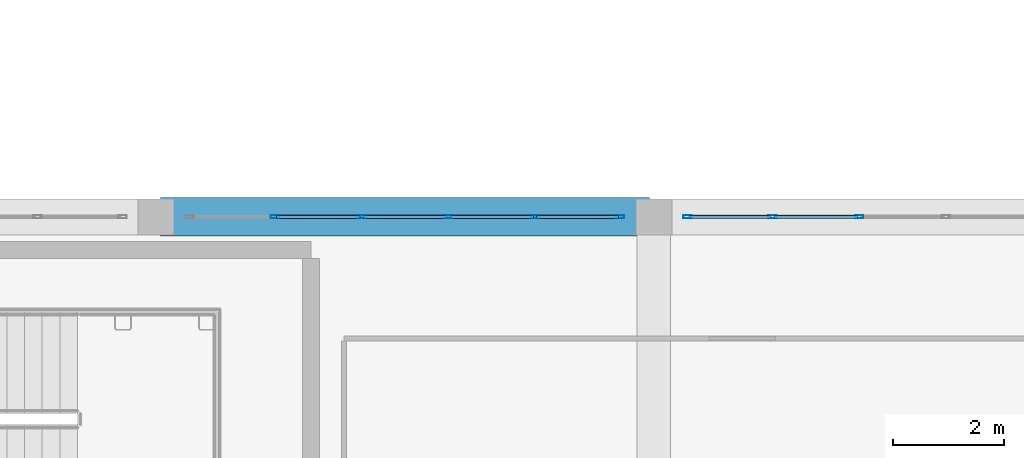
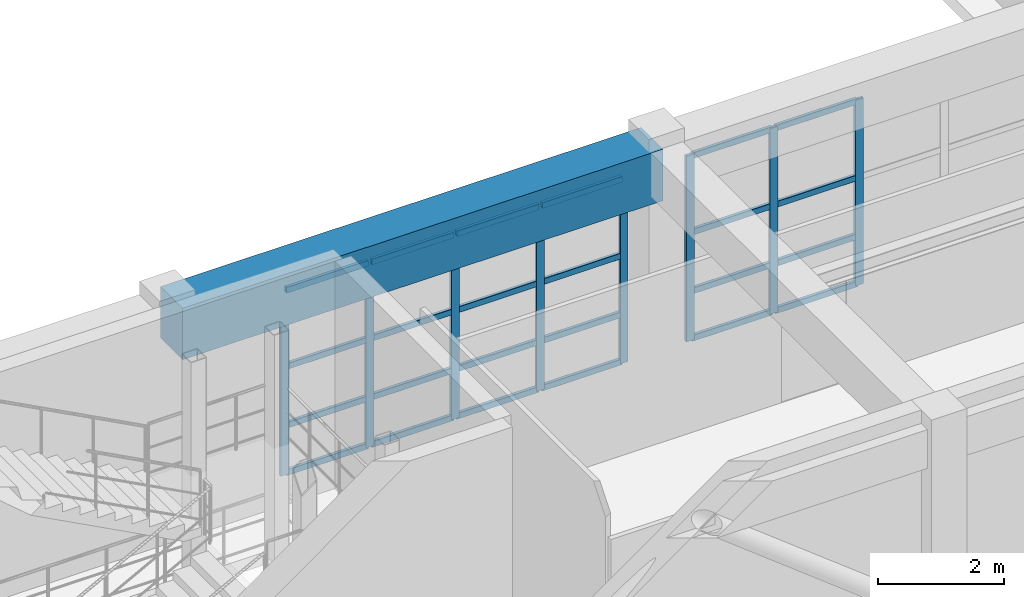
# One storey, part 77 of 133: 32 members, 1 beam, 2 elements without a shape of their own.
"""IFC4 building model written with IfcOpenShell, lengths in metres."""

from ifc_helpers import new_model, si_unit, direction, frame, origin, origin_2d, place, context, subcontext, project, spatial, rectangle, hollow_rectangle, extrude, material, material_profile, profile_set, type_object, element, aggregate, save


model = new_model("IFC4")

# Units and contexts
model_context = context("Model", 3, precision=1e-05, world=origin(), true_north=direction((0.0, 1.0)))
body_context = subcontext(model_context, "Body", "Model", "MODEL_VIEW")
ifc_project = project(units=[si_unit("LENGTHUNIT", "METRE"), si_unit("AREAUNIT", "SQUARE_METRE"), si_unit("VOLUMEUNIT", "CUBIC_METRE"), si_unit("PLANEANGLEUNIT", "RADIAN"), si_unit("MASSUNIT", "GRAM", prefix="KILO")], contexts=[model_context])

# Site, building, storey
site_placement = place(None, origin())
site = spatial("IfcSite", under=ifc_project, at=site_placement, CompositionType="ELEMENT")
building_placement = place(site_placement, origin())
building = spatial("IfcBuilding", under=site, at=building_placement, Name="Miravela Opera House", CompositionType="ELEMENT")
storey_placement = place(building_placement, frame((0.0, 0.0, 5.10009765625)))
storey = spatial("IfcBuildingStorey", under=building, at=storey_placement, Name="L01", CompositionType="ELEMENT", Elevation=5.10009765625)

# Curtain wall, members
ifc_material_1 = material(Name="Anodised architectural bronze aluminium 6063-T6", Category="aluminium")
curtain_wall_type = type_object("IfcCurtainWallType", Name="ARC-CW-06", PredefinedType="NOTDEFINED", material=ifc_material_1)
curtain_wall_1_placement = place(storey_placement, origin())
curtain_wall_1 = element("IfcCurtainWall", 1, at=curtain_wall_1_placement, inside=storey, type_object=curtain_wall_type, Name="Courtyard Arcade Curtain Wall CW-L01-175", PredefinedType="NOTDEFINED")
ifc_material_profile_1 = material_profile(ifc_material_1, hollow_rectangle(XDim=0.06005859375, YDim=0.14990234375, WallThickness=0.00390625, InnerFilletRadius=0.001953125, OuterFilletRadius=0.00390625, at=origin_2d()), Name="CWM-60X150")
ifc_profile_set_1 = profile_set([ifc_material_profile_1])
member_type_1 = type_object("IfcMemberType", Name="ARC-CWM-150", PredefinedType="MULLION", material=ifc_profile_set_1)
member_1_placement = place(storey_placement, frame((128.14794921875, 9.0, 0.0), z_axis=(0.0, 0.0, 1.0), x_axis=(0.0, 1.0, 0.0)))
member_1 = element("IfcMember", 2, at=member_1_placement, type_object=member_type_1, Name="CW-06 mullion 2", PredefinedType="MULLION", context=body_context, shape_type="SweptSolid", body=[
    extrude(hollow_rectangle(XDim=0.06005859375, YDim=0.14990234375, WallThickness=0.00390625, InnerFilletRadius=0.001953125, OuterFilletRadius=0.00390625, at=origin_2d()), origin(), (0.0, 0.0, 1.0), 3.60986328125),
])
member_2_placement = place(storey_placement, frame((129.716064453125, 9.0, 0.0), z_axis=(0.0, 0.0, 1.0), x_axis=(0.0, 1.0, 0.0)))
member_2 = element("IfcMember", 3, at=member_2_placement, type_object=member_type_1, Name="CW-06 mullion 3", PredefinedType="MULLION", context=body_context, shape_type="SweptSolid", body=[
    extrude(hollow_rectangle(XDim=0.06005859375, YDim=0.14990234375, WallThickness=0.00390625, InnerFilletRadius=0.001953125, OuterFilletRadius=0.00390625, at=origin_2d()), origin(), (0.0, 0.0, 1.0), 3.60986328125),
])
member_3_placement = place(storey_placement, frame((131.283935546875, 9.0, 0.0), z_axis=(0.0, 0.0, 1.0), x_axis=(0.0, 1.0, 0.0)))
member_3 = element("IfcMember", 4, at=member_3_placement, type_object=member_type_1, Name="CW-06 mullion 4", PredefinedType="MULLION", context=body_context, shape_type="SweptSolid", body=[
    extrude(hollow_rectangle(XDim=0.06005859375, YDim=0.14990234375, WallThickness=0.00390625, InnerFilletRadius=0.001953125, OuterFilletRadius=0.00390625, at=origin_2d()), origin(), (0.0, 0.0, 1.0), 3.60986328125),
])
member_4_placement = place(storey_placement, frame((132.85205078125, 9.0, 0.0), z_axis=(0.0, 0.0, 1.0), x_axis=(0.0, 1.0, 0.0)))
member_4 = element("IfcMember", 5, at=member_4_placement, type_object=member_type_1, Name="CW-06 mullion 5", PredefinedType="MULLION", context=body_context, shape_type="SweptSolid", body=[
    extrude(hollow_rectangle(XDim=0.06005859375, YDim=0.14990234375, WallThickness=0.00390625, InnerFilletRadius=0.001953125, OuterFilletRadius=0.00390625, at=origin_2d()), origin(), (0.0, 0.0, 1.0), 3.60986328125),
])
member_5_placement = place(storey_placement, frame((134.389892578125, 9.0, 0.0), z_axis=(0.0, 0.0, 1.0), x_axis=(0.0, 1.0, 0.0)))
member_5 = element("IfcMember", 6, at=member_5_placement, type_object=member_type_1, Name="CW-06 mullion 6", PredefinedType="MULLION", context=body_context, shape_type="SweptSolid", body=[
    extrude(hollow_rectangle(XDim=0.06005859375, YDim=0.14990234375, WallThickness=0.00390625, InnerFilletRadius=0.001953125, OuterFilletRadius=0.00390625, at=origin_2d()), origin(), (0.0, 0.0, 1.0), 3.60986328125),
])

curtain_wall_2_placement = place(storey_placement, origin())
curtain_wall_2 = element("IfcCurtainWall", 7, at=curtain_wall_2_placement, inside=storey, type_object=curtain_wall_type, Name="Courtyard Arcade Curtain Wall CW-L01-179", PredefinedType="NOTDEFINED")
member_6_placement = place(storey_placement, frame((135.610107421875, 9.0, 0.0), z_axis=(0.0, 0.0, 1.0), x_axis=(0.0, 1.0, 0.0)))
member_6 = element("IfcMember", 8, at=member_6_placement, type_object=member_type_1, Name="CW-06 mullion 1", PredefinedType="MULLION", context=body_context, shape_type="SweptSolid", body=[
    extrude(hollow_rectangle(XDim=0.06005859375, YDim=0.14990234375, WallThickness=0.00390625, InnerFilletRadius=0.001953125, OuterFilletRadius=0.00390625, at=origin_2d()), origin(), (0.0, 0.0, 1.0), 3.60986328125),
])
member_7_placement = place(storey_placement, frame((137.14794921875, 9.0, 0.0), z_axis=(0.0, 0.0, 1.0), x_axis=(0.0, 1.0, 0.0)))
member_7 = element("IfcMember", 9, at=member_7_placement, type_object=member_type_1, Name="CW-06 mullion 2", PredefinedType="MULLION", context=body_context, shape_type="SweptSolid", body=[
    extrude(hollow_rectangle(XDim=0.06005859375, YDim=0.14990234375, WallThickness=0.00390625, InnerFilletRadius=0.001953125, OuterFilletRadius=0.00390625, at=origin_2d()), origin(), (0.0, 0.0, 1.0), 3.60986328125),
])
member_8_placement = place(storey_placement, frame((138.716064453125, 9.0, 0.0), z_axis=(0.0, 0.0, 1.0), x_axis=(0.0, 1.0, 0.0)))
member_8 = element("IfcMember", 10, at=member_8_placement, type_object=member_type_1, Name="CW-06 mullion 3", PredefinedType="MULLION", context=body_context, shape_type="SweptSolid", body=[
    extrude(hollow_rectangle(XDim=0.06005859375, YDim=0.14990234375, WallThickness=0.00390625, InnerFilletRadius=0.001953125, OuterFilletRadius=0.00390625, at=origin_2d()), origin(), (0.0, 0.0, 1.0), 3.60986328125),
])

# Member
ifc_material_profile_2 = material_profile(ifc_material_1, hollow_rectangle(XDim=0.06005859375, YDim=0.114990234375, WallThickness=0.00390625, InnerFilletRadius=0.001953125, OuterFilletRadius=0.00390625, at=origin_2d()), Name="CWT-60X115")
ifc_profile_set_2 = profile_set([ifc_material_profile_2])
member_type_2 = type_object("IfcMemberType", Name="ARC-CWT-115", PredefinedType="USERDEFINED", material=ifc_profile_set_2)
member_9_placement = place(storey_placement, frame((128.177978515625, 9.0, 0.02978515625), z_axis=(1.0, 0.0, 0.0), x_axis=(0.0, 1.0, 0.0)))
member_9 = element("IfcMember", 11, at=member_9_placement, type_object=member_type_2, Name="CW-06 transom 2.1", ObjectType="TRANSOM", PredefinedType="USERDEFINED", context=body_context, shape_type="SweptSolid", body=[
    extrude(hollow_rectangle(XDim=0.06005859375, YDim=0.114990234375, WallThickness=0.00390625, InnerFilletRadius=0.001953125, OuterFilletRadius=0.00390625, at=origin_2d()), origin(), (0.0, 0.0, 1.0), 1.508056640625),
])

member_10_placement = place(storey_placement, frame((128.177978515625, 9.0, 0.949951171875), z_axis=(1.0, 0.0, 0.0), x_axis=(0.0, 1.0, 0.0)))
member_10 = element("IfcMember", 12, at=member_10_placement, type_object=member_type_2, Name="CW-06 transom 2.2", ObjectType="TRANSOM", PredefinedType="USERDEFINED", context=body_context, shape_type="SweptSolid", body=[
    extrude(hollow_rectangle(XDim=0.06005859375, YDim=0.114990234375, WallThickness=0.00390625, InnerFilletRadius=0.001953125, OuterFilletRadius=0.00390625, at=origin_2d()), origin(), (0.0, 0.0, 1.0), 1.508056640625),
])

member_11_placement = place(storey_placement, frame((128.177978515625, 9.0, 2.09375), z_axis=(1.0, 0.0, 0.0), x_axis=(0.0, 1.0, 0.0)))
member_11 = element("IfcMember", 13, at=member_11_placement, type_object=member_type_2, Name="CW-06 transom 2.3", ObjectType="TRANSOM", PredefinedType="USERDEFINED", context=body_context, shape_type="SweptSolid", body=[
    extrude(hollow_rectangle(XDim=0.06005859375, YDim=0.114990234375, WallThickness=0.00390625, InnerFilletRadius=0.001953125, OuterFilletRadius=0.00390625, at=origin_2d()), origin(), (0.0, 0.0, 1.0), 1.508056640625),
])

member_12_placement = place(storey_placement, frame((128.177978515625, 9.0, 3.579833984375), z_axis=(1.0, 0.0, 0.0), x_axis=(0.0, 1.0, 0.0)))
member_12 = element("IfcMember", 14, at=member_12_placement, type_object=member_type_2, Name="CW-06 transom 2.4", ObjectType="TRANSOM", PredefinedType="USERDEFINED", context=body_context, shape_type="SweptSolid", body=[
    extrude(hollow_rectangle(XDim=0.06005859375, YDim=0.114990234375, WallThickness=0.00390625, InnerFilletRadius=0.001953125, OuterFilletRadius=0.00390625, at=origin_2d()), origin(), (0.0, 0.0, 1.0), 1.508056640625),
])

member_13_placement = place(storey_placement, frame((129.74609375, 9.0, 0.02978515625), z_axis=(1.0, 0.0, 0.0), x_axis=(0.0, 1.0, 0.0)))
member_13 = element("IfcMember", 15, at=member_13_placement, type_object=member_type_2, Name="CW-06 transom 3.1", ObjectType="TRANSOM", PredefinedType="USERDEFINED", context=body_context, shape_type="SweptSolid", body=[
    extrude(hollow_rectangle(XDim=0.06005859375, YDim=0.114990234375, WallThickness=0.00390625, InnerFilletRadius=0.001953125, OuterFilletRadius=0.00390625, at=origin_2d()), origin(), (0.0, 0.0, 1.0), 1.5078125),
])

member_14_placement = place(storey_placement, frame((129.74609375, 9.0, 0.949951171875), z_axis=(1.0, 0.0, 0.0), x_axis=(0.0, 1.0, 0.0)))
member_14 = element("IfcMember", 16, at=member_14_placement, type_object=member_type_2, Name="CW-06 transom 3.2", ObjectType="TRANSOM", PredefinedType="USERDEFINED", context=body_context, shape_type="SweptSolid", body=[
    extrude(hollow_rectangle(XDim=0.06005859375, YDim=0.114990234375, WallThickness=0.00390625, InnerFilletRadius=0.001953125, OuterFilletRadius=0.00390625, at=origin_2d()), origin(), (0.0, 0.0, 1.0), 1.5078125),
])

member_15_placement = place(storey_placement, frame((129.74609375, 9.0, 2.09375), z_axis=(1.0, 0.0, 0.0), x_axis=(0.0, 1.0, 0.0)))
member_15 = element("IfcMember", 17, at=member_15_placement, type_object=member_type_2, Name="CW-06 transom 3.3", ObjectType="TRANSOM", PredefinedType="USERDEFINED", context=body_context, shape_type="SweptSolid", body=[
    extrude(hollow_rectangle(XDim=0.06005859375, YDim=0.114990234375, WallThickness=0.00390625, InnerFilletRadius=0.001953125, OuterFilletRadius=0.00390625, at=origin_2d()), origin(), (0.0, 0.0, 1.0), 1.5078125),
])

member_16_placement = place(storey_placement, frame((129.74609375, 9.0, 3.579833984375), z_axis=(1.0, 0.0, 0.0), x_axis=(0.0, 1.0, 0.0)))
member_16 = element("IfcMember", 18, at=member_16_placement, type_object=member_type_2, Name="CW-06 transom 3.4", ObjectType="TRANSOM", PredefinedType="USERDEFINED", context=body_context, shape_type="SweptSolid", body=[
    extrude(hollow_rectangle(XDim=0.06005859375, YDim=0.114990234375, WallThickness=0.00390625, InnerFilletRadius=0.001953125, OuterFilletRadius=0.00390625, at=origin_2d()), origin(), (0.0, 0.0, 1.0), 1.5078125),
])

member_17_placement = place(storey_placement, frame((131.31396484375, 9.0, 0.02978515625), z_axis=(1.0, 0.0, 0.0), x_axis=(0.0, 1.0, 0.0)))
member_17 = element("IfcMember", 19, at=member_17_placement, type_object=member_type_2, Name="CW-06 transom 4.1", ObjectType="TRANSOM", PredefinedType="USERDEFINED", context=body_context, shape_type="SweptSolid", body=[
    extrude(hollow_rectangle(XDim=0.06005859375, YDim=0.114990234375, WallThickness=0.00390625, InnerFilletRadius=0.001953125, OuterFilletRadius=0.00390625, at=origin_2d()), origin(), (0.0, 0.0, 1.0), 1.508056640625),
])

member_18_placement = place(storey_placement, frame((131.31396484375, 9.0, 0.949951171875), z_axis=(1.0, 0.0, 0.0), x_axis=(0.0, 1.0, 0.0)))
member_18 = element("IfcMember", 20, at=member_18_placement, type_object=member_type_2, Name="CW-06 transom 4.2", ObjectType="TRANSOM", PredefinedType="USERDEFINED", context=body_context, shape_type="SweptSolid", body=[
    extrude(hollow_rectangle(XDim=0.06005859375, YDim=0.114990234375, WallThickness=0.00390625, InnerFilletRadius=0.001953125, OuterFilletRadius=0.00390625, at=origin_2d()), origin(), (0.0, 0.0, 1.0), 1.508056640625),
])

member_19_placement = place(storey_placement, frame((131.31396484375, 9.0, 2.09375), z_axis=(1.0, 0.0, 0.0), x_axis=(0.0, 1.0, 0.0)))
member_19 = element("IfcMember", 21, at=member_19_placement, type_object=member_type_2, Name="CW-06 transom 4.3", ObjectType="TRANSOM", PredefinedType="USERDEFINED", context=body_context, shape_type="SweptSolid", body=[
    extrude(hollow_rectangle(XDim=0.06005859375, YDim=0.114990234375, WallThickness=0.00390625, InnerFilletRadius=0.001953125, OuterFilletRadius=0.00390625, at=origin_2d()), origin(), (0.0, 0.0, 1.0), 1.508056640625),
])

member_20_placement = place(storey_placement, frame((131.31396484375, 9.0, 3.579833984375), z_axis=(1.0, 0.0, 0.0), x_axis=(0.0, 1.0, 0.0)))
member_20 = element("IfcMember", 22, at=member_20_placement, type_object=member_type_2, Name="CW-06 transom 4.4", ObjectType="TRANSOM", PredefinedType="USERDEFINED", context=body_context, shape_type="SweptSolid", body=[
    extrude(hollow_rectangle(XDim=0.06005859375, YDim=0.114990234375, WallThickness=0.00390625, InnerFilletRadius=0.001953125, OuterFilletRadius=0.00390625, at=origin_2d()), origin(), (0.0, 0.0, 1.0), 1.508056640625),
])

member_21_placement = place(storey_placement, frame((132.882080078125, 9.0, 0.02978515625), z_axis=(1.0, 0.0, 0.0), x_axis=(0.0, 1.0, 0.0)))
member_21 = element("IfcMember", 23, at=member_21_placement, type_object=member_type_2, Name="CW-06 transom 5.1", ObjectType="TRANSOM", PredefinedType="USERDEFINED", context=body_context, shape_type="SweptSolid", body=[
    extrude(hollow_rectangle(XDim=0.06005859375, YDim=0.114990234375, WallThickness=0.00390625, InnerFilletRadius=0.001953125, OuterFilletRadius=0.00390625, at=origin_2d()), origin(), (0.0, 0.0, 1.0), 1.47802734375),
])

member_22_placement = place(storey_placement, frame((132.882080078125, 9.0, 0.949951171875), z_axis=(1.0, 0.0, 0.0), x_axis=(0.0, 1.0, 0.0)))
member_22 = element("IfcMember", 24, at=member_22_placement, type_object=member_type_2, Name="CW-06 transom 5.2", ObjectType="TRANSOM", PredefinedType="USERDEFINED", context=body_context, shape_type="SweptSolid", body=[
    extrude(hollow_rectangle(XDim=0.06005859375, YDim=0.114990234375, WallThickness=0.00390625, InnerFilletRadius=0.001953125, OuterFilletRadius=0.00390625, at=origin_2d()), origin(), (0.0, 0.0, 1.0), 1.47802734375),
])

member_23_placement = place(storey_placement, frame((132.882080078125, 9.0, 2.09375), z_axis=(1.0, 0.0, 0.0), x_axis=(0.0, 1.0, 0.0)))
member_23 = element("IfcMember", 25, at=member_23_placement, type_object=member_type_2, Name="CW-06 transom 5.3", ObjectType="TRANSOM", PredefinedType="USERDEFINED", context=body_context, shape_type="SweptSolid", body=[
    extrude(hollow_rectangle(XDim=0.06005859375, YDim=0.114990234375, WallThickness=0.00390625, InnerFilletRadius=0.001953125, OuterFilletRadius=0.00390625, at=origin_2d()), origin(), (0.0, 0.0, 1.0), 1.47802734375),
])

member_24_placement = place(storey_placement, frame((132.882080078125, 9.0, 3.579833984375), z_axis=(1.0, 0.0, 0.0), x_axis=(0.0, 1.0, 0.0)))
member_24 = element("IfcMember", 26, at=member_24_placement, type_object=member_type_2, Name="CW-06 transom 5.4", ObjectType="TRANSOM", PredefinedType="USERDEFINED", context=body_context, shape_type="SweptSolid", body=[
    extrude(hollow_rectangle(XDim=0.06005859375, YDim=0.114990234375, WallThickness=0.00390625, InnerFilletRadius=0.001953125, OuterFilletRadius=0.00390625, at=origin_2d()), origin(), (0.0, 0.0, 1.0), 1.47802734375),
])

aggregate(curtain_wall_1, [member_1, member_2, member_3, member_4, member_5, member_9, member_10, member_11, member_12, member_13, member_14, member_15, member_16, member_17, member_18, member_19, member_20, member_21, member_22, member_23, member_24])

member_25_placement = place(storey_placement, frame((135.639892578125, 9.0, 0.02978515625), z_axis=(1.0, 0.0, 0.0), x_axis=(0.0, 1.0, 0.0)))
member_25 = element("IfcMember", 27, at=member_25_placement, type_object=member_type_2, Name="CW-06 transom 1.1", ObjectType="TRANSOM", PredefinedType="USERDEFINED", context=body_context, shape_type="SweptSolid", body=[
    extrude(hollow_rectangle(XDim=0.06005859375, YDim=0.114990234375, WallThickness=0.00390625, InnerFilletRadius=0.001953125, OuterFilletRadius=0.00390625, at=origin_2d()), origin(), (0.0, 0.0, 1.0), 1.47802734375),
])

member_26_placement = place(storey_placement, frame((135.639892578125, 9.0, 0.949951171875), z_axis=(1.0, 0.0, 0.0), x_axis=(0.0, 1.0, 0.0)))
member_26 = element("IfcMember", 28, at=member_26_placement, type_object=member_type_2, Name="CW-06 transom 1.2", ObjectType="TRANSOM", PredefinedType="USERDEFINED", context=body_context, shape_type="SweptSolid", body=[
    extrude(hollow_rectangle(XDim=0.06005859375, YDim=0.114990234375, WallThickness=0.00390625, InnerFilletRadius=0.001953125, OuterFilletRadius=0.00390625, at=origin_2d()), origin(), (0.0, 0.0, 1.0), 1.47802734375),
])

member_27_placement = place(storey_placement, frame((135.639892578125, 9.0, 2.09375), z_axis=(1.0, 0.0, 0.0), x_axis=(0.0, 1.0, 0.0)))
member_27 = element("IfcMember", 29, at=member_27_placement, type_object=member_type_2, Name="CW-06 transom 1.3", ObjectType="TRANSOM", PredefinedType="USERDEFINED", context=body_context, shape_type="SweptSolid", body=[
    extrude(hollow_rectangle(XDim=0.06005859375, YDim=0.114990234375, WallThickness=0.00390625, InnerFilletRadius=0.001953125, OuterFilletRadius=0.00390625, at=origin_2d()), origin(), (0.0, 0.0, 1.0), 1.47802734375),
])

member_28_placement = place(storey_placement, frame((135.639892578125, 9.0, 3.579833984375), z_axis=(1.0, 0.0, 0.0), x_axis=(0.0, 1.0, 0.0)))
member_28 = element("IfcMember", 30, at=member_28_placement, type_object=member_type_2, Name="CW-06 transom 1.4", ObjectType="TRANSOM", PredefinedType="USERDEFINED", context=body_context, shape_type="SweptSolid", body=[
    extrude(hollow_rectangle(XDim=0.06005859375, YDim=0.114990234375, WallThickness=0.00390625, InnerFilletRadius=0.001953125, OuterFilletRadius=0.00390625, at=origin_2d()), origin(), (0.0, 0.0, 1.0), 1.47802734375),
])

member_29_placement = place(storey_placement, frame((137.177978515625, 9.0, 0.02978515625), z_axis=(1.0, 0.0, 0.0), x_axis=(0.0, 1.0, 0.0)))
member_29 = element("IfcMember", 31, at=member_29_placement, type_object=member_type_2, Name="CW-06 transom 2.1", ObjectType="TRANSOM", PredefinedType="USERDEFINED", context=body_context, shape_type="SweptSolid", body=[
    extrude(hollow_rectangle(XDim=0.06005859375, YDim=0.114990234375, WallThickness=0.00390625, InnerFilletRadius=0.001953125, OuterFilletRadius=0.00390625, at=origin_2d()), origin(), (0.0, 0.0, 1.0), 1.508056640625),
])

member_30_placement = place(storey_placement, frame((137.177978515625, 9.0, 0.949951171875), z_axis=(1.0, 0.0, 0.0), x_axis=(0.0, 1.0, 0.0)))
member_30 = element("IfcMember", 32, at=member_30_placement, type_object=member_type_2, Name="CW-06 transom 2.2", ObjectType="TRANSOM", PredefinedType="USERDEFINED", context=body_context, shape_type="SweptSolid", body=[
    extrude(hollow_rectangle(XDim=0.06005859375, YDim=0.114990234375, WallThickness=0.00390625, InnerFilletRadius=0.001953125, OuterFilletRadius=0.00390625, at=origin_2d()), origin(), (0.0, 0.0, 1.0), 1.508056640625),
])

member_31_placement = place(storey_placement, frame((137.177978515625, 9.0, 2.09375), z_axis=(1.0, 0.0, 0.0), x_axis=(0.0, 1.0, 0.0)))
member_31 = element("IfcMember", 33, at=member_31_placement, type_object=member_type_2, Name="CW-06 transom 2.3", ObjectType="TRANSOM", PredefinedType="USERDEFINED", context=body_context, shape_type="SweptSolid", body=[
    extrude(hollow_rectangle(XDim=0.06005859375, YDim=0.114990234375, WallThickness=0.00390625, InnerFilletRadius=0.001953125, OuterFilletRadius=0.00390625, at=origin_2d()), origin(), (0.0, 0.0, 1.0), 1.508056640625),
])

member_32_placement = place(storey_placement, frame((137.177978515625, 9.0, 3.579833984375), z_axis=(1.0, 0.0, 0.0), x_axis=(0.0, 1.0, 0.0)))
member_32 = element("IfcMember", 34, at=member_32_placement, type_object=member_type_2, Name="CW-06 transom 2.4", ObjectType="TRANSOM", PredefinedType="USERDEFINED", context=body_context, shape_type="SweptSolid", body=[
    extrude(hollow_rectangle(XDim=0.06005859375, YDim=0.114990234375, WallThickness=0.00390625, InnerFilletRadius=0.001953125, OuterFilletRadius=0.00390625, at=origin_2d()), origin(), (0.0, 0.0, 1.0), 1.508056640625),
])

aggregate(curtain_wall_2, [member_6, member_7, member_8, member_25, member_26, member_27, member_28, member_29, member_30, member_31, member_32])

# Beam
ifc_material_2 = material(Name="Concrete C40/50", Category="concrete")
ifc_material_profile_3 = material_profile(ifc_material_2, rectangle(XDim=0.699951171875, YDim=1.0, at=origin_2d()), Name="RC-BM-700X1000")
ifc_profile_set_3 = profile_set([ifc_material_profile_3])
beam_type = type_object("IfcBeamType", Name="STR-BM-RC700X1000", PredefinedType="BEAM", material=ifc_profile_set_3)
beam_placement = place(storey_placement, frame((126.080078125, 9.0, 3.659912109375), z_axis=(1.0, 0.0, 0.0), x_axis=(0.0, 1.0, 0.0)))
element("IfcBeam", 35, at=beam_placement, inside=storey, type_object=beam_type, Name="Floor Girder L01 15-16/B", PredefinedType="BEAM", context=body_context, shape_type="SweptSolid", body=[
    extrude(rectangle(XDim=0.699951171875, YDim=1.0, at=origin_2d()), origin(), (0.0, 0.0, 1.0), 8.83984375),
])

save(model, "model.ifc")
